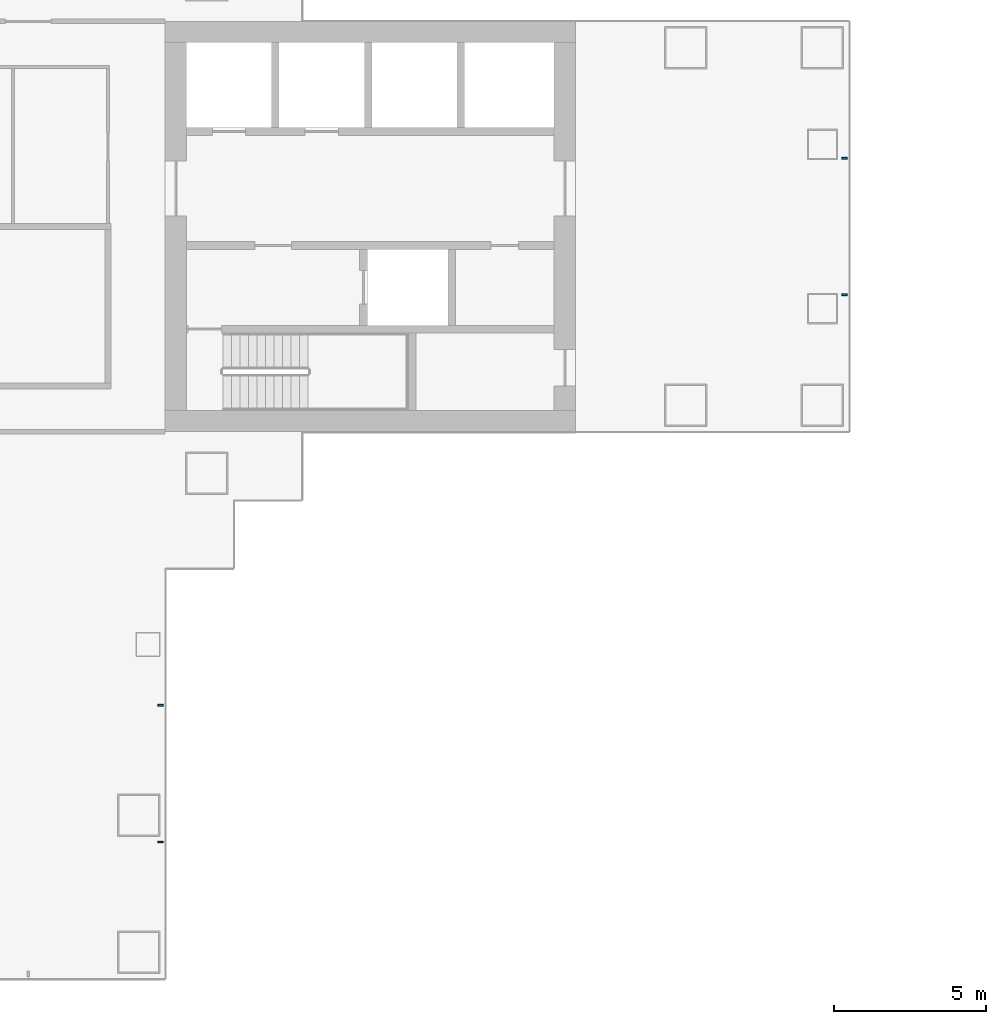
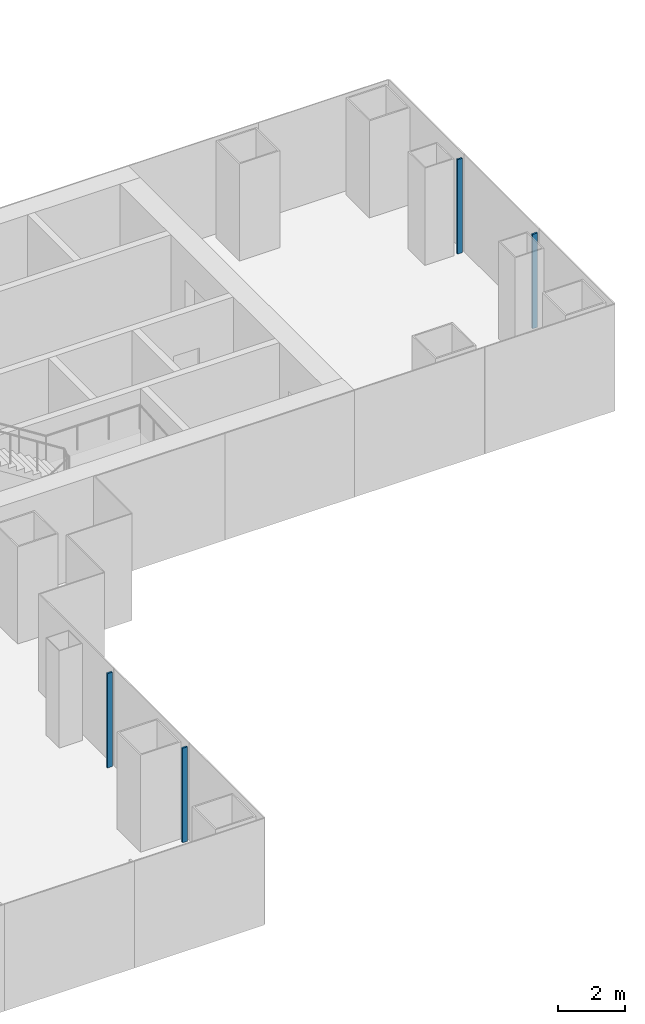
# One storey, part 5 of 22: 4 members, 2 elements without a shape of their own.
"""IFC4 building model written with IfcOpenShell, lengths in metres."""

from ifc_helpers import new_model, si_unit, direction, frame, origin, origin_2d, place, context, subcontext, project, spatial, rectangle, extrude, material, layer, layer_set, material_profile, profile_set, type_object, element, aggregate, save


model = new_model("IFC4")

# Units and contexts
model_context = context("Model", 3, precision=1e-05, world=origin(), true_north=direction((0.0, 1.0)))
body_context = subcontext(model_context, "Body", "Model", "MODEL_VIEW")
ifc_project = project(units=[si_unit("LENGTHUNIT", "METRE"), si_unit("AREAUNIT", "SQUARE_METRE"), si_unit("VOLUMEUNIT", "CUBIC_METRE"), si_unit("PLANEANGLEUNIT", "RADIAN"), si_unit("MASSUNIT", "GRAM", prefix="KILO")], contexts=[model_context])

# Site, building, storey
site_placement = place(None, origin())
site = spatial("IfcSite", under=ifc_project, at=site_placement, CompositionType="ELEMENT")
building_placement = place(site_placement, origin())
building = spatial("IfcBuilding", under=site, at=building_placement, Name="Shamsa Quay Exchange Towers", CompositionType="ELEMENT")
storey_placement = place(building_placement, frame((0.0, 0.0, 69.300048828125)))
storey = spatial("IfcBuildingStorey", under=building, at=storey_placement, Name="L15", CompositionType="ELEMENT", Elevation=69.300048828125)

# Curtain wall, members
ifc_material = material(Name="Aluminium EN AW-6063 T6, black anodised", Category="aluminium")
ifc_layer = layer(ifc_material, 0.280029296875)
ifc_layer_set = layer_set([ifc_layer], Name="CW-1 UNITISED VISION GLASS")
curtain_wall_type = type_object("IfcCurtainWallType", Name="CW-1 UNITISED VISION GLASS", PredefinedType="NOTDEFINED", material=ifc_layer_set)
curtain_wall_1_placement = place(storey_placement, origin())
curtain_wall_1 = element("IfcCurtainWall", 1, at=curtain_wall_1_placement, inside=storey, type_object=curtain_wall_type, Name="CW1 T1-FLK-V-E L15", PredefinedType="NOTDEFINED")
ifc_material_profile = material_profile(ifc_material, rectangle(XDim=0.179931640625, YDim=0.06005859375, at=origin_2d()), Name="MU60x180")
ifc_profile_set = profile_set([ifc_material_profile], Name="Aluminium EN AW-6063 T6, black anodised")
member_type = type_object("IfcMemberType", Name="CW1 MULLION 60x180", PredefinedType="MULLION", material=ifc_profile_set)
member_1_placement = place(storey_placement, frame((-27.14990234375, -20.25, 0.0), z_axis=(0.0, 0.0, 1.0), x_axis=(-1.0, 0.0, 0.0)))
member_1 = element("IfcMember", 2, at=member_1_placement, type_object=member_type, Name="CW1 mullion", PredefinedType="MULLION", context=body_context, shape_type="SweptSolid", body=[
    extrude(rectangle(XDim=0.179931640625, YDim=0.06005859375, at=origin_2d()), origin(), (0.0, 0.0, 1.0), 3.449951171875),
])
member_2_placement = place(storey_placement, frame((-27.14990234375, -15.75, 0.0), z_axis=(0.0, 0.0, 1.0), x_axis=(-1.0, 0.0, 0.0)))
member_2 = element("IfcMember", 3, at=member_2_placement, type_object=member_type, Name="CW1 mullion", PredefinedType="MULLION", context=body_context, shape_type="SweptSolid", body=[
    extrude(rectangle(XDim=0.179931640625, YDim=0.06005859375, at=origin_2d()), origin(), (0.0, 0.0, 1.0), 3.449951171875),
])
aggregate(curtain_wall_1, [member_1, member_2])

curtain_wall_2_placement = place(storey_placement, origin())
curtain_wall_2 = element("IfcCurtainWall", 4, at=curtain_wall_2_placement, inside=storey, type_object=curtain_wall_type, Name="CW1 T1-END-U+ L15", PredefinedType="NOTDEFINED")
member_3_placement = place(storey_placement, frame((-4.64990234375, -2.25, 0.0), z_axis=(0.0, 0.0, 1.0), x_axis=(-1.0, 0.0, 0.0)))
member_3 = element("IfcMember", 5, at=member_3_placement, type_object=member_type, Name="CW1 mullion", PredefinedType="MULLION", context=body_context, shape_type="SweptSolid", body=[
    extrude(rectangle(XDim=0.179931640625, YDim=0.06005859375, at=origin_2d()), origin(), (0.0, 0.0, 1.0), 3.449951171875),
])
member_4_placement = place(storey_placement, frame((-4.64990234375, 2.25, 0.0), z_axis=(0.0, 0.0, 1.0), x_axis=(-1.0, 0.0, 0.0)))
member_4 = element("IfcMember", 6, at=member_4_placement, type_object=member_type, Name="CW1 mullion", PredefinedType="MULLION", context=body_context, shape_type="SweptSolid", body=[
    extrude(rectangle(XDim=0.179931640625, YDim=0.06005859375, at=origin_2d()), origin(), (0.0, 0.0, 1.0), 3.449951171875),
])
aggregate(curtain_wall_2, [member_3, member_4])

save(model, "model.ifc")
